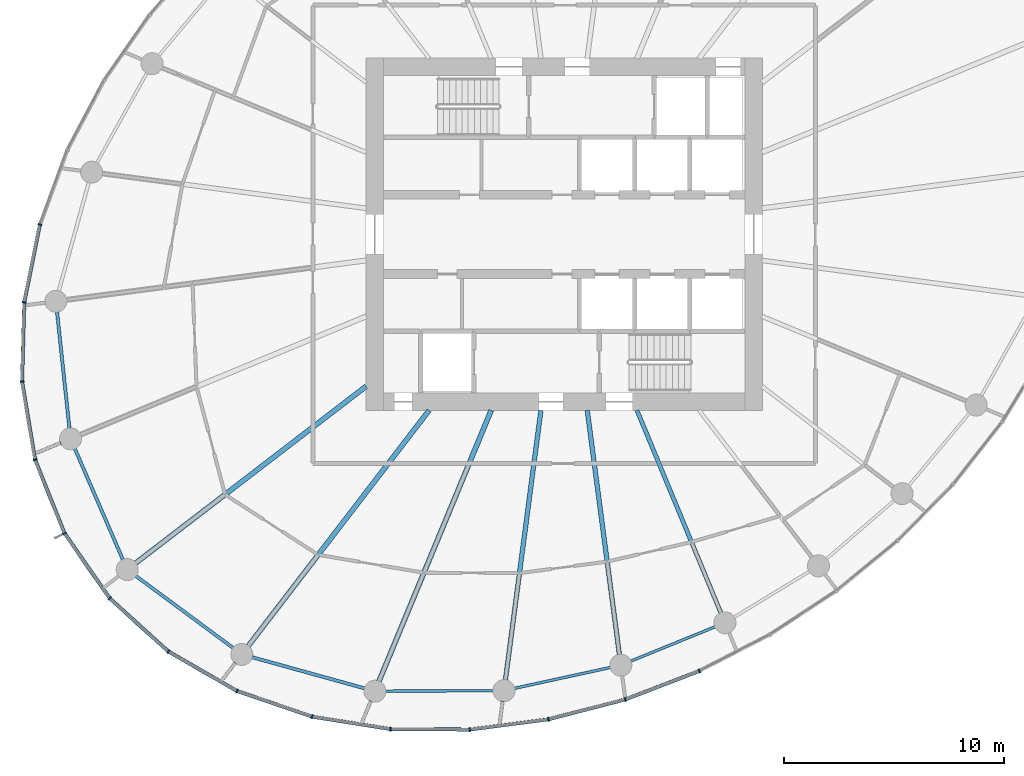
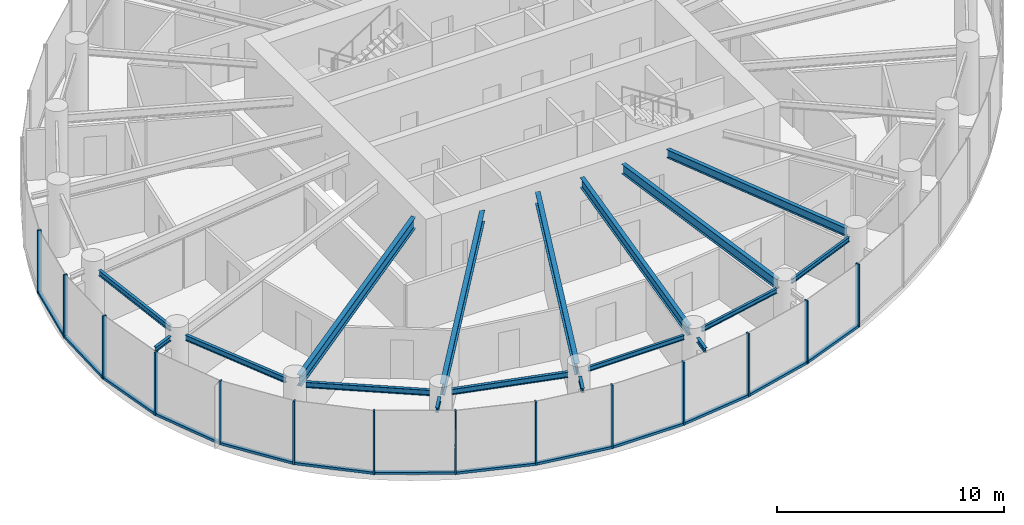
# One storey, part 2 of 15: 27 members, 17 beams, 3 elements without a shape of their own.
"""IFC4 building model written with IfcOpenShell, lengths in metres."""

from ifc_helpers import new_model, si_unit, direction, frame, origin, origin_2d, place, context, subcontext, project, spatial, rectangle, i_section, extrude, source, transform, mapped, material, layer, layer_set, material_profile, profile_set, type_object, element, aggregate, save


model = new_model("IFC4")

# Units and contexts
model_context = context("Model", 3, precision=1e-05, world=origin(), true_north=direction((0.0, 1.0)))
body_context = subcontext(model_context, "Body", "Model", "MODEL_VIEW")
ifc_project = project(units=[si_unit("LENGTHUNIT", "METRE"), si_unit("AREAUNIT", "SQUARE_METRE"), si_unit("VOLUMEUNIT", "CUBIC_METRE"), si_unit("PLANEANGLEUNIT", "RADIAN"), si_unit("MASSUNIT", "GRAM", prefix="KILO")], contexts=[model_context])

# Site, building, storey
site_placement = place(None, origin())
site = spatial("IfcSite", under=ifc_project, at=site_placement, CompositionType="ELEMENT")
building_placement = place(site_placement, origin())
building = spatial("IfcBuilding", under=site, at=building_placement, Name="Spindrift Exchange Tower", CompositionType="ELEMENT")
storey_placement = place(building_placement, frame((0.0, 0.0, 176.0)))
storey = spatial("IfcBuildingStorey", under=building, at=storey_placement, Name="L42", CompositionType="ELEMENT", Elevation=176.0)

# Beams
ifc_material_1 = material(Name="Steel Grade 300", Category="steel")
ifc_material_profile_1 = material_profile(ifc_material_1, i_section(OverallWidth=0.14599609375, OverallDepth=0.251953125, WebThickness=0.006103515625, FlangeThickness=0.008544921875, FilletRadius=0.011962890625, at=origin_2d()), Name="250UB31.4")
ifc_profile_set_1 = profile_set([ifc_material_profile_1], Name="Steel Grade 300")
beam_type_1 = type_object("IfcBeamType", Name="Cantilever Beam 250UB31.4 Steel Grade 300", PredefinedType="BEAM", material=ifc_profile_set_1)
shared_shape_1 = source(origin(), body_context, "Body", "SweptSolid", [
    extrude(i_section(OverallWidth=0.14599609375, OverallDepth=0.251953125, WebThickness=0.006103515625, FlangeThickness=0.008544921875, FilletRadius=0.011962890625, at=origin_2d()), origin(), (0.0, 0.0, 1.0), 0.964111328125),
])
beam_1_placement = place(storey_placement, frame((43.229248046875, 26.82568359375, 3.27392578125), z_axis=(-0.382672391391, -0.923884105755, 0.0), x_axis=(0.923884105755, -0.382672391391, 0.0)))
element("IfcBeam", 1, at=beam_1_placement, inside=storey, type_object=beam_type_1, Name="L42 cantilever beam R17T", PredefinedType="BEAM", context=body_context, shape_type="MappedRepresentation", body=[
    mapped(shared_shape_1, transform((0.0, 0.0, 0.0), scale=1.0)),
])
shared_shape_2 = source(origin(), body_context, "Body", "SweptSolid", [
    extrude(i_section(OverallWidth=0.14599609375, OverallDepth=0.251953125, WebThickness=0.006103515625, FlangeThickness=0.008544921875, FilletRadius=0.011962890625, at=origin_2d()), origin(), (0.0, 0.0, 1.0), 0.9267578125),
])
beam_2_placement = place(storey_placement, frame((49.21142578125, 26.81884765625, 3.27392578125), z_axis=(-0.130386374353, -0.991463258716, 0.0), x_axis=(0.991463258716, -0.130386374353, 0.0)))
element("IfcBeam", 2, at=beam_2_placement, inside=storey, type_object=beam_type_1, Name="L42 cantilever beam R18T", PredefinedType="BEAM", context=body_context, shape_type="MappedRepresentation", body=[
    mapped(shared_shape_2, transform((0.0, 0.0, 0.0), scale=1.0)),
])
ifc_material_profile_2 = material_profile(ifc_material_1, i_section(OverallWidth=0.14892578125, OverallDepth=0.298095703125, WebThickness=0.005615234375, FlangeThickness=0.008056640625, FilletRadius=0.012939453125, at=origin_2d()), Name="310UB32.0")
ifc_profile_set_2 = profile_set([ifc_material_profile_2], Name="Steel Grade 300")
beam_type_2 = type_object("IfcBeamType", Name="Edge Beam 310UB32.0 Steel Grade 300", PredefinedType="SPANDREL", material=ifc_profile_set_2)
shared_shape_3 = source(origin(), body_context, "Body", "SweptSolid", [
    extrude(i_section(OverallWidth=0.14892578125, OverallDepth=0.298095703125, WebThickness=0.005615234375, FlangeThickness=0.008056640625, FilletRadius=0.012939453125, at=origin_2d()), origin(), (0.0, 0.0, 1.0), 5.31640625),
])
beam_3_placement = place(storey_placement, frame((28.989013671875, 44.486572265625, 3.2509765625), z_axis=(0.10598990948, -0.994367205357, 0.0), x_axis=(0.994367205357, 0.10598990948, 0.0)))
element("IfcBeam", 3, at=beam_3_placement, inside=storey, type_object=beam_type_2, Name="L42 edge beam E13", PredefinedType="SPANDREL", context=body_context, shape_type="MappedRepresentation", body=[
    mapped(shared_shape_3, transform((0.0, 0.0, 0.0), scale=1.0)),
])
shared_shape_4 = source(origin(), body_context, "Body", "SweptSolid", [
    extrude(i_section(OverallWidth=0.14892578125, OverallDepth=0.298095703125, WebThickness=0.005615234375, FlangeThickness=0.008056640625, FilletRadius=0.012939453125, at=origin_2d()), origin(), (0.0, 0.0, 1.0), 5.508544921875),
])
beam_4_placement = place(storey_placement, frame((29.794189453125, 38.282470703125, 3.2509765625), z_axis=(0.397414644433, -0.917639144975, 0.0), x_axis=(0.917639144975, 0.397414644433, 0.0)))
element("IfcBeam", 4, at=beam_4_placement, inside=storey, type_object=beam_type_2, Name="L42 edge beam E14", PredefinedType="SPANDREL", context=body_context, shape_type="MappedRepresentation", body=[
    mapped(shared_shape_4, transform((0.0, 0.0, 0.0), scale=1.0)),
])
shared_shape_5 = source(origin(), body_context, "Body", "SweptSolid", [
    extrude(i_section(OverallWidth=0.14892578125, OverallDepth=0.298095703125, WebThickness=0.005615234375, FlangeThickness=0.008056640625, FilletRadius=0.012939453125, at=origin_2d()), origin(), (0.0, 0.0, 1.0), 5.509033203125),
])
beam_5_placement = place(storey_placement, frame((32.56005859375, 32.501708984375, 3.2509765625), z_axis=(0.803991901791, -0.594640245741, 0.0), x_axis=(0.594640245741, 0.803991901791, 0.0)))
element("IfcBeam", 5, at=beam_5_placement, inside=storey, type_object=beam_type_2, Name="L42 edge beam E15", PredefinedType="SPANDREL", context=body_context, shape_type="MappedRepresentation", body=[
    mapped(shared_shape_5, transform((0.0, 0.0, 0.0), scale=1.0)),
])
shared_shape_6 = source(origin(), body_context, "Body", "SweptSolid", [
    extrude(i_section(OverallWidth=0.14892578125, OverallDepth=0.298095703125, WebThickness=0.005615234375, FlangeThickness=0.008056640625, FilletRadius=0.012939453125, at=origin_2d()), origin(), (0.0, 0.0, 1.0), 5.30517578125),
])
beam_6_placement = place(storey_placement, frame((37.837646484375, 28.8125, 3.2509765625), z_axis=(0.963757513624, -0.26677978734, 0.0), x_axis=(0.26677978734, 0.963757513624, 0.0)))
element("IfcBeam", 6, at=beam_6_placement, inside=storey, type_object=beam_type_2, Name="L42 edge beam E16", PredefinedType="SPANDREL", context=body_context, shape_type="MappedRepresentation", body=[
    mapped(shared_shape_6, transform((0.0, 0.0, 0.0), scale=1.0)),
])
ifc_material_profile_3 = material_profile(ifc_material_1, i_section(OverallWidth=0.1240234375, OverallDepth=0.248046875, WebThickness=0.0048828125, FlangeThickness=0.008056640625, FilletRadius=0.011962890625, at=origin_2d()), Name="250UB25.7")
ifc_profile_set_3 = profile_set([ifc_material_profile_3], Name="Steel Grade 300")
beam_type_3 = type_object("IfcBeamType", Name="Edge Beam 250UB25.7 Steel Grade 300", PredefinedType="SPANDREL", material=ifc_profile_set_3)
shared_shape_7 = source(origin(), body_context, "Body", "SweptSolid", [
    extrude(i_section(OverallWidth=0.1240234375, OverallDepth=0.248046875, WebThickness=0.0048828125, FlangeThickness=0.008056640625, FilletRadius=0.011962890625, at=origin_2d()), origin(), (0.0, 0.0, 1.0), 4.901123046875),
])
beam_7_placement = place(storey_placement, frame((43.89306640625, 27.271240234375, 3.27587890625), z_axis=(0.999990609444, 0.004333707747, 0.0), x_axis=(-0.004333707747, 0.999990609444, 0.0)))
element("IfcBeam", 7, at=beam_7_placement, inside=storey, type_object=beam_type_3, Name="L42 edge beam E17", PredefinedType="SPANDREL", context=body_context, shape_type="MappedRepresentation", body=[
    mapped(shared_shape_7, transform((0.0, 0.0, 0.0), scale=1.0)),
])
shared_shape_8 = source(origin(), body_context, "Body", "SweptSolid", [
    extrude(i_section(OverallWidth=0.1240234375, OverallDepth=0.248046875, WebThickness=0.0048828125, FlangeThickness=0.008056640625, FilletRadius=0.011962890625, at=origin_2d()), origin(), (0.0, 0.0, 1.0), 4.464111328125),
])
beam_8_placement = place(storey_placement, frame((49.7431640625, 27.396728515625, 3.27587890625), z_axis=(0.977095837978, 0.212799726048, 0.0), x_axis=(-0.212799726048, 0.977095837978, 0.0)))
element("IfcBeam", 8, at=beam_8_placement, inside=storey, type_object=beam_type_3, Name="L42 edge beam E18", PredefinedType="SPANDREL", context=body_context, shape_type="MappedRepresentation", body=[
    mapped(shared_shape_8, transform((0.0, 0.0, 0.0), scale=1.0)),
])
shared_shape_9 = source(origin(), body_context, "Body", "SweptSolid", [
    extrude(i_section(OverallWidth=0.1240234375, OverallDepth=0.248046875, WebThickness=0.0048828125, FlangeThickness=0.008056640625, FilletRadius=0.011962890625, at=origin_2d()), origin(), (0.0, 0.0, 1.0), 4.143798828125),
])
beam_9_placement = place(storey_placement, frame((55.0185546875, 28.6298828125, 3.27587890625), z_axis=(0.926113706975, 0.377244485385, 0.0), x_axis=(-0.377244485385, 0.926113706975, 0.0)))
element("IfcBeam", 9, at=beam_9_placement, inside=storey, type_object=beam_type_3, Name="L42 edge beam E19", PredefinedType="SPANDREL", context=body_context, shape_type="MappedRepresentation", body=[
    mapped(shared_shape_9, transform((0.0, 0.0, 0.0), scale=1.0)),
])
ifc_material_profile_4 = material_profile(ifc_material_1, i_section(OverallWidth=0.22802734375, OverallDepth=0.60205078125, WebThickness=0.010498046875, FlangeThickness=0.014892578125, FilletRadius=0.013916015625, at=origin_2d()), Name="610UB101")
ifc_profile_set_4 = profile_set([ifc_material_profile_4], Name="Steel Grade 300")
beam_type_4 = type_object("IfcBeamType", Name="Floor Beam 610UB101 Steel Grade 300", PredefinedType="BEAM", material=ifc_profile_set_4)
shared_shape_10 = source(origin(), body_context, "Body", "SweptSolid", [
    extrude(i_section(OverallWidth=0.22802734375, OverallDepth=0.60205078125, WebThickness=0.010498046875, FlangeThickness=0.014892578125, FilletRadius=0.013916015625, at=origin_2d()), origin(), (0.0, 0.0, 1.0), 13.185546875),
])
beam_10_placement = place(storey_placement, frame((43.015869140625, 41.106201171875, 3.09912109375), z_axis=(-0.793357156703, -0.608756455332, 0.0), x_axis=(0.608756455332, -0.793357156703, 0.0)))
element("IfcBeam", 10, at=beam_10_placement, inside=storey, type_object=beam_type_4, Name="L42 radial beam R15A", PredefinedType="BEAM", context=body_context, shape_type="MappedRepresentation", body=[
    mapped(shared_shape_10, transform((0.0, 0.0, 0.0), scale=1.0)),
])
shared_shape_11 = source(origin(), body_context, "Body", "SweptSolid", [
    extrude(i_section(OverallWidth=0.22802734375, OverallDepth=0.60205078125, WebThickness=0.010498046875, FlangeThickness=0.014892578125, FilletRadius=0.013916015625, at=origin_2d()), origin(), (0.0, 0.0, 1.0), 13.480224609375),
])
beam_11_placement = place(storey_placement, frame((45.87353515625, 40.015869140625, 3.09912109375), z_axis=(-0.608764179541, -0.793351229726, 0.0), x_axis=(0.793351229726, -0.608764179541, 0.0)))
element("IfcBeam", 11, at=beam_11_placement, inside=storey, type_object=beam_type_4, Name="L42 radial beam R16A", PredefinedType="BEAM", context=body_context, shape_type="MappedRepresentation", body=[
    mapped(shared_shape_11, transform((0.0, 0.0, 0.0), scale=1.0)),
])
shared_shape_12 = source(origin(), body_context, "Body", "SweptSolid", [
    extrude(i_section(OverallWidth=0.22802734375, OverallDepth=0.60205078125, WebThickness=0.010498046875, FlangeThickness=0.014892578125, FilletRadius=0.013916015625, at=origin_2d()), origin(), (0.0, 0.0, 1.0), 13.31982421875),
])
beam_12_placement = place(storey_placement, frame((48.69384765625, 40.0185546875, 3.09912109375), z_axis=(-0.382676632888, -0.923882348918, 0.0), x_axis=(0.923882348918, -0.382676632888, 0.0)))
element("IfcBeam", 12, at=beam_12_placement, inside=storey, type_object=beam_type_4, Name="L42 radial beam R17A", PredefinedType="BEAM", context=body_context, shape_type="MappedRepresentation", body=[
    mapped(shared_shape_12, transform((0.0, 0.0, 0.0), scale=1.0)),
])
ifc_material_profile_5 = material_profile(ifc_material_1, i_section(OverallWidth=0.208984375, OverallDepth=0.528076171875, WebThickness=0.009521484375, FlangeThickness=0.01318359375, FilletRadius=0.013916015625, at=origin_2d()), Name="530UB82.0")
ifc_profile_set_5 = profile_set([ifc_material_profile_5], Name="Steel Grade 300")
beam_type_5 = type_object("IfcBeamType", Name="Floor Beam 530UB82.0 Steel Grade 300", PredefinedType="BEAM", material=ifc_profile_set_5)
shared_shape_13 = source(origin(), body_context, "Body", "SweptSolid", [
    extrude(i_section(OverallWidth=0.208984375, OverallDepth=0.528076171875, WebThickness=0.009521484375, FlangeThickness=0.01318359375, FilletRadius=0.013916015625, at=origin_2d()), origin(), (0.0, 0.0, 1.0), 12.35498046875),
])
beam_13_placement = place(storey_placement, frame((50.949462890625, 40.019775390625, 3.135986328125), z_axis=(-0.130537831721, -0.991443328935, 0.0), x_axis=(0.991443328935, -0.130537831721, 0.0)))
element("IfcBeam", 13, at=beam_13_placement, inside=storey, type_object=beam_type_5, Name="L42 radial beam R18A", PredefinedType="BEAM", context=body_context, shape_type="MappedRepresentation", body=[
    mapped(shared_shape_13, transform((0.0, 0.0, 0.0), scale=1.0)),
])
shared_shape_14 = source(origin(), body_context, "Body", "SweptSolid", [
    extrude(i_section(OverallWidth=0.208984375, OverallDepth=0.528076171875, WebThickness=0.009521484375, FlangeThickness=0.01318359375, FilletRadius=0.013916015625, at=origin_2d()), origin(), (0.0, 0.0, 1.0), 11.19091796875),
])
beam_14_placement = place(storey_placement, frame((53.050537109375, 40.019775390625, 3.135986328125), z_axis=(0.130524489434, -0.991445085548, 0.0), x_axis=(0.991445085548, 0.130524489434, 0.0)))
element("IfcBeam", 14, at=beam_14_placement, inside=storey, type_object=beam_type_5, Name="L42 radial beam R19A", PredefinedType="BEAM", context=body_context, shape_type="MappedRepresentation", body=[
    mapped(shared_shape_14, transform((0.0, 0.0, 0.0), scale=1.0)),
])
ifc_material_profile_6 = material_profile(ifc_material_1, i_section(OverallWidth=0.18994140625, OverallDepth=0.4541015625, WebThickness=0.008544921875, FlangeThickness=0.0126953125, FilletRadius=0.013916015625, at=origin_2d()), Name="460UB67.1")
ifc_profile_set_6 = profile_set([ifc_material_profile_6], Name="Steel Grade 300")
beam_type_6 = type_object("IfcBeamType", Name="Floor Beam 460UB67.1 Steel Grade 300", PredefinedType="BEAM", material=ifc_profile_set_6)
shared_shape_15 = source(origin(), body_context, "Body", "SweptSolid", [
    extrude(i_section(OverallWidth=0.18994140625, OverallDepth=0.4541015625, WebThickness=0.008544921875, FlangeThickness=0.0126953125, FilletRadius=0.013916015625, at=origin_2d()), origin(), (0.0, 0.0, 1.0), 9.958984375),
])
beam_15_placement = place(storey_placement, frame((55.30615234375, 40.0185546875, 3.173095703125), z_axis=(0.382673670509, -0.923883575944, 0.0), x_axis=(0.923883575944, 0.382673670509, 0.0)))
element("IfcBeam", 15, at=beam_15_placement, inside=storey, type_object=beam_type_6, Name="L42 radial beam R20A", PredefinedType="BEAM", context=body_context, shape_type="MappedRepresentation", body=[
    mapped(shared_shape_15, transform((0.0, 0.0, 0.0), scale=1.0)),
])
shared_shape_16 = source(origin(), body_context, "Body", "SweptSolid", [
    extrude(i_section(OverallWidth=0.14599609375, OverallDepth=0.251953125, WebThickness=0.006103515625, FlangeThickness=0.008544921875, FilletRadius=0.011962890625, at=origin_2d()), origin(), (0.0, 0.0, 1.0), 1.1201171875),
])
beam_16_placement = place(storey_placement, frame((29.159912109375, 38.539306640625, 3.27392578125), z_axis=(-0.923868073298, -0.382711096181, 0.0), x_axis=(0.382711096181, -0.923868073298, 0.0)))
element("IfcBeam", 16, at=beam_16_placement, inside=storey, type_object=beam_type_1, Name="L42 cantilever beam R14T", PredefinedType="BEAM", context=body_context, shape_type="MappedRepresentation", body=[
    mapped(shared_shape_16, transform((0.0, 0.0, 0.0), scale=1.0)),
])
shared_shape_17 = source(origin(), body_context, "Body", "SweptSolid", [
    extrude(i_section(OverallWidth=0.14599609375, OverallDepth=0.251953125, WebThickness=0.006103515625, FlangeThickness=0.008544921875, FilletRadius=0.011962890625, at=origin_2d()), origin(), (0.0, 0.0, 1.0), 0.89990234375),
])
beam_17_placement = place(storey_placement, frame((37.0830078125, 28.559814453125, 3.27392578125), z_axis=(-0.608818785139, -0.79330932609, 0.0), x_axis=(0.79330932609, -0.608818785139, 0.0)))
element("IfcBeam", 17, at=beam_17_placement, inside=storey, type_object=beam_type_1, Name="L42 cantilever beam R16T", PredefinedType="BEAM", context=body_context, shape_type="MappedRepresentation", body=[
    mapped(shared_shape_17, transform((0.0, 0.0, 0.0), scale=1.0)),
])

# Curtain wall, member
ifc_material_2 = material(Name="Fritted laminated glass with bronze frame", Category="glass")
ifc_layer = layer(ifc_material_2, 0.179931640625)
ifc_layer_set = layer_set([ifc_layer], Name="ZONE 3 BRONZE FRITTED WALL")
curtain_wall_type = type_object("IfcCurtainWallType", Name="ZONE 3 BRONZE FRITTED WALL", PredefinedType="NOTDEFINED", material=ifc_layer_set)
curtain_wall_1_placement = place(storey_placement, origin())
curtain_wall_1 = element("IfcCurtainWall", 18, at=curtain_wall_1_placement, inside=storey, type_object=curtain_wall_type, Name="L42 Zone 3 Bronze Fritted Wall run 5", PredefinedType="NOTDEFINED")
ifc_material_3 = material(Name="Bronze anodised aluminium", Category="aluminium")
ifc_material_profile_7 = material_profile(ifc_material_3, rectangle(XDim=0.159912109375, YDim=0.1298828125, at=origin_2d()), Name="ZONE 3 BRONZE FRITTED WALL TRANSOM 160X130")
ifc_profile_set_7 = profile_set([ifc_material_profile_7], Name="Bronze anodised aluminium")
member_type_1 = type_object("IfcMemberType", Name="ZONE 3 BRONZE FRITTED WALL TRANSOM 160X130", PredefinedType="USERDEFINED", material=ifc_profile_set_7)
shared_shape_18 = source(origin(), body_context, "Body", "SweptSolid", [
    extrude(rectangle(XDim=0.159912109375, YDim=0.1298828125, at=origin_2d()), origin(), (0.0, 0.0, 1.0), 3.53076171875),
])
member_1_placement = place(storey_placement, frame((54.808349609375, 26.904296875, 0.06494140625), z_axis=(0.933468516944, 0.358659347955, 0.0), x_axis=(-0.358659347955, 0.933468516944, 0.0)))
member_1 = element("IfcMember", 19, at=member_1_placement, type_object=member_type_1, Name="L42 transom CW-3.29", ObjectType="TRANSOM", PredefinedType="USERDEFINED", context=body_context, shape_type="MappedRepresentation", body=[
    mapped(shared_shape_18, transform((0.0, 0.0, 0.0), scale=1.0)),
])

curtain_wall_2_placement = place(storey_placement, origin())
curtain_wall_2 = element("IfcCurtainWall", 20, at=curtain_wall_2_placement, inside=storey, type_object=curtain_wall_type, Name="L42 Zone 3 Bronze Fritted Wall run 3", PredefinedType="NOTDEFINED")
shared_shape_19 = source(origin(), body_context, "Body", "SweptSolid", [
    extrude(rectangle(XDim=0.159912109375, YDim=0.1298828125, at=origin_2d()), origin(), (0.0, 0.0, 1.0), 3.52880859375),
])
member_2_placement = place(storey_placement, frame((28.203857421875, 48.409912109375, 0.06494140625), z_axis=(-0.197592749277, -0.980284196258, 0.0), x_axis=(0.980284196258, -0.197592749277, 0.0)))
member_2 = element("IfcMember", 21, at=member_2_placement, type_object=member_type_1, Name="L42 transom CW-3.17", ObjectType="TRANSOM", PredefinedType="USERDEFINED", context=body_context, shape_type="MappedRepresentation", body=[
    mapped(shared_shape_19, transform((0.0, 0.0, 0.0), scale=1.0)),
])

# Member
member_3_placement = place(storey_placement, frame((40.600341796875, 26.107666015625, 0.06494140625), z_axis=(0.987644878604, -0.156708626973, 0.0), x_axis=(0.156708626973, 0.987644878604, 0.0)))
member_3 = element("IfcMember", 22, at=member_3_placement, type_object=member_type_1, Name="L42 transom CW-3.25", ObjectType="TRANSOM", PredefinedType="USERDEFINED", context=body_context, shape_type="MappedRepresentation", body=[
    mapped(shared_shape_19, transform((0.0, 0.0, 0.0), scale=1.0)),
])

# Curtain wall, members
curtain_wall_3_placement = place(storey_placement, origin())
curtain_wall_3 = element("IfcCurtainWall", 23, at=curtain_wall_3_placement, inside=storey, type_object=curtain_wall_type, Name="L42 Zone 3 Bronze Fritted Wall run 4", PredefinedType="NOTDEFINED")
shared_shape_20 = source(origin(), body_context, "Body", "SweptSolid", [
    extrude(rectangle(XDim=0.159912109375, YDim=0.1298828125, at=origin_2d()), origin(), (0.0, 0.0, 1.0), 3.525146484375),
])
member_4_placement = place(storey_placement, frame((28.0078125, 37.740966796875, 0.06494140625), z_axis=(0.371080192185, -0.928600824341, 0.0), x_axis=(0.928600824341, 0.371080192185, 0.0)))
member_4 = element("IfcMember", 24, at=member_4_placement, type_object=member_type_1, Name="L42 transom CW-3.20", ObjectType="TRANSOM", PredefinedType="USERDEFINED", context=body_context, shape_type="MappedRepresentation", body=[
    mapped(shared_shape_20, transform((0.0, 0.0, 0.0), scale=1.0)),
])
member_5_placement = place(storey_placement, frame((31.40625, 31.45947265625, 0.06494140625), z_axis=(0.740854473837, -0.671665577945, 0.0), x_axis=(0.671665577945, 0.740854473837, 0.0)))
member_5 = element("IfcMember", 25, at=member_5_placement, type_object=member_type_1, Name="L42 transom CW-3.22", ObjectType="TRANSOM", PredefinedType="USERDEFINED", context=body_context, shape_type="MappedRepresentation", body=[
    mapped(shared_shape_20, transform((0.0, 0.0, 0.0), scale=1.0)),
])

# Member
shared_shape_21 = source(origin(), body_context, "Body", "SweptSolid", [
    extrude(rectangle(XDim=0.159912109375, YDim=0.1298828125, at=origin_2d()), origin(), (0.0, 0.0, 1.0), 3.530517578125),
])
member_6_placement = place(storey_placement, frame((51.3232421875, 26.0009765625, 0.06494140625), z_axis=(0.968284339856, 0.249850829874, 0.0), x_axis=(-0.249850829874, 0.968284339856, 0.0)))
member_6 = element("IfcMember", 26, at=member_6_placement, type_object=member_type_1, Name="L42 transom CW-3.28", ObjectType="TRANSOM", PredefinedType="USERDEFINED", context=body_context, shape_type="MappedRepresentation", body=[
    mapped(shared_shape_21, transform((0.0, 0.0, 0.0), scale=1.0)),
])

shared_shape_22 = source(origin(), body_context, "Body", "SweptSolid", [
    extrude(rectangle(XDim=0.159912109375, YDim=0.1298828125, at=origin_2d()), origin(), (0.0, 0.0, 1.0), 3.530029296875),
])
member_7_placement = place(storey_placement, frame((47.754150390625, 25.532470703125, 0.06494140625), z_axis=(0.991646242574, 0.128987323365, 0.0), x_axis=(-0.128987323365, 0.991646242574, 0.0)))
member_7 = element("IfcMember", 27, at=member_7_placement, type_object=member_type_1, Name="L42 transom CW-3.27", ObjectType="TRANSOM", PredefinedType="USERDEFINED", context=body_context, shape_type="MappedRepresentation", body=[
    mapped(shared_shape_22, transform((0.0, 0.0, 0.0), scale=1.0)),
])

shared_shape_23 = source(origin(), body_context, "Body", "SweptSolid", [
    extrude(rectangle(XDim=0.159912109375, YDim=0.1298828125, at=origin_2d()), origin(), (0.0, 0.0, 1.0), 3.529541015625),
])
member_8_placement = place(storey_placement, frame((44.15478515625, 25.549072265625, 0.06494140625), z_axis=(0.9999823071, -0.005948570133, 0.0), x_axis=(0.005948570133, 0.9999823071, 0.0)))
member_8 = element("IfcMember", 28, at=member_8_placement, type_object=member_type_1, Name="L42 transom CW-3.26", ObjectType="TRANSOM", PredefinedType="USERDEFINED", context=body_context, shape_type="MappedRepresentation", body=[
    mapped(shared_shape_23, transform((0.0, 0.0, 0.0), scale=1.0)),
])

shared_shape_24 = source(origin(), body_context, "Body", "SweptSolid", [
    extrude(rectangle(XDim=0.159912109375, YDim=0.1298828125, at=origin_2d()), origin(), (0.0, 0.0, 1.0), 3.524658203125),
])
member_9_placement = place(storey_placement, frame((29.348876953125, 34.40625, 0.06494140625), z_axis=(0.570693033655, -0.821163480275, 0.0), x_axis=(0.821163480275, 0.570693033655, 0.0)))
member_9 = element("IfcMember", 29, at=member_9_placement, type_object=member_type_1, Name="L42 transom CW-3.21", ObjectType="TRANSOM", PredefinedType="USERDEFINED", context=body_context, shape_type="MappedRepresentation", body=[
    mapped(shared_shape_24, transform((0.0, 0.0, 0.0), scale=1.0)),
])

shared_shape_25 = source(origin(), body_context, "Body", "SweptSolid", [
    extrude(rectangle(XDim=0.159912109375, YDim=0.1298828125, at=origin_2d()), origin(), (0.0, 0.0, 1.0), 3.52734375),
])
member_10_placement = place(storey_placement, frame((27.498779296875, 44.88134765625, 0.06494140625), z_axis=(-0.027546144992, -0.99962053295, 0.0), x_axis=(0.99962053295, -0.027546144992, 0.0)))
member_10 = element("IfcMember", 30, at=member_10_placement, type_object=member_type_1, Name="L42 transom CW-3.18", ObjectType="TRANSOM", PredefinedType="USERDEFINED", context=body_context, shape_type="MappedRepresentation", body=[
    mapped(shared_shape_25, transform((0.0, 0.0, 0.0), scale=1.0)),
])

member_11_placement = place(storey_placement, frame((37.19384765625, 27.26318359375, 0.06494140625), z_axis=(0.946466461945, -0.322802162962, 0.0), x_axis=(0.322802162962, 0.946466461945, 0.0)))
member_11 = element("IfcMember", 31, at=member_11_placement, type_object=member_type_1, Name="L42 transom CW-3.24", ObjectType="TRANSOM", PredefinedType="USERDEFINED", context=body_context, shape_type="MappedRepresentation", body=[
    mapped(shared_shape_25, transform((0.0, 0.0, 0.0), scale=1.0)),
])

shared_shape_26 = source(origin(), body_context, "Body", "SweptSolid", [
    extrude(rectangle(XDim=0.159912109375, YDim=0.1298828125, at=origin_2d()), origin(), (0.0, 0.0, 1.0), 3.526123046875),
])
member_12_placement = place(storey_placement, frame((27.406494140625, 41.28564453125, 0.06494140625), z_axis=(0.165196078333, -0.986260744278, 0.0), x_axis=(0.986260744278, 0.165196078333, 0.0)))
member_12 = element("IfcMember", 32, at=member_12_placement, type_object=member_type_1, Name="L42 transom CW-3.19", ObjectType="TRANSOM", PredefinedType="USERDEFINED", context=body_context, shape_type="MappedRepresentation", body=[
    mapped(shared_shape_26, transform((0.0, 0.0, 0.0), scale=1.0)),
])

member_13_placement = place(storey_placement, frame((34.07421875, 29.051025390625, 0.06494140625), z_axis=(0.8666923048, -0.498843110408, 0.0), x_axis=(0.498843110408, 0.8666923048, 0.0)))
member_13 = element("IfcMember", 33, at=member_13_placement, type_object=member_type_1, Name="L42 transom CW-3.23", ObjectType="TRANSOM", PredefinedType="USERDEFINED", context=body_context, shape_type="MappedRepresentation", body=[
    mapped(shared_shape_26, transform((0.0, 0.0, 0.0), scale=1.0)),
])

ifc_material_profile_8 = material_profile(ifc_material_3, rectangle(XDim=0.070068359375, YDim=0.179931640625, at=origin_2d()), Name="ZONE 3 BRONZE FRITTED WALL MULLION 70X180")
ifc_profile_set_8 = profile_set([ifc_material_profile_8], Name="Bronze anodised aluminium")
member_type_2 = type_object("IfcMemberType", Name="ZONE 3 BRONZE FRITTED WALL MULLION 70X180", PredefinedType="MULLION", material=ifc_profile_set_8)
shared_shape_27 = source(origin(), body_context, "Body", "SweptSolid", [
    extrude(rectangle(XDim=0.070068359375, YDim=0.179931640625, at=origin_2d()), origin(), (0.0, 0.0, 1.0), 3.39990234375),
])
member_14_placement = place(storey_placement, frame((28.210693359375, 48.444091796875, 0.0), z_axis=(0.0, 0.0, 1.0), x_axis=(-0.271141942713, -0.962539374208, 0.0)))
member_14 = element("IfcMember", 34, at=member_14_placement, type_object=member_type_2, Name="L42 mullion CW-3.17", PredefinedType="MULLION", context=body_context, shape_type="MappedRepresentation", body=[
    mapped(shared_shape_27, transform((0.0, 0.0, 0.0), scale=1.0)),
])

member_15_placement = place(storey_placement, frame((27.499755859375, 44.91650390625, 0.0), z_axis=(0.0, 0.0, 1.0), x_axis=(-0.112972174555, -0.99359815206, 0.0)))
member_15 = element("IfcMember", 35, at=member_15_placement, type_object=member_type_2, Name="L42 mullion CW-3.18", PredefinedType="MULLION", context=body_context, shape_type="MappedRepresentation", body=[
    mapped(shared_shape_27, transform((0.0, 0.0, 0.0), scale=1.0)),
])

aggregate(curtain_wall_2, [member_14, member_2, member_15, member_10])

member_16_placement = place(storey_placement, frame((27.400634765625, 41.3203125, 0.0), z_axis=(0.0, 0.0, 1.0), x_axis=(0.069178379237, -0.997604306249, 0.0)))
member_16 = element("IfcMember", 36, at=member_16_placement, type_object=member_type_2, Name="L42 mullion CW-3.19", PredefinedType="MULLION", context=body_context, shape_type="MappedRepresentation", body=[
    mapped(shared_shape_27, transform((0.0, 0.0, 0.0), scale=1.0)),
])

member_17_placement = place(storey_placement, frame((27.994873046875, 37.7734375, 0.0), z_axis=(0.0, 0.0, 1.0), x_axis=(0.269716979127, -0.962939640461, 0.0)))
member_17 = element("IfcMember", 37, at=member_17_placement, type_object=member_type_2, Name="L42 mullion CW-3.20", PredefinedType="MULLION", context=body_context, shape_type="MappedRepresentation", body=[
    mapped(shared_shape_27, transform((0.0, 0.0, 0.0), scale=1.0)),
])

member_18_placement = place(storey_placement, frame((29.3291015625, 34.43505859375, 0.0), z_axis=(0.0, 0.0, 1.0), x_axis=(0.473923194612, -0.880566184684, 0.0)))
member_18 = element("IfcMember", 38, at=member_18_placement, type_object=member_type_2, Name="L42 mullion CW-3.21", PredefinedType="MULLION", context=body_context, shape_type="MappedRepresentation", body=[
    mapped(shared_shape_27, transform((0.0, 0.0, 0.0), scale=1.0)),
])

member_19_placement = place(storey_placement, frame((31.38037109375, 31.483154296875, 0.0), z_axis=(0.0, 0.0, 1.0), x_axis=(0.660005940021, -0.751260380386, 0.0)))
member_19 = element("IfcMember", 39, at=member_19_placement, type_object=member_type_2, Name="L42 mullion CW-3.22", PredefinedType="MULLION", context=body_context, shape_type="MappedRepresentation", body=[
    mapped(shared_shape_27, transform((0.0, 0.0, 0.0), scale=1.0)),
])

member_20_placement = place(storey_placement, frame((34.043701171875, 29.068359375, 0.0), z_axis=(0.0, 0.0, 1.0), x_axis=(0.808422251521, -0.588602975906, 0.0)))
member_20 = element("IfcMember", 40, at=member_20_placement, type_object=member_type_2, Name="L42 mullion CW-3.23", PredefinedType="MULLION", context=body_context, shape_type="MappedRepresentation", body=[
    mapped(shared_shape_27, transform((0.0, 0.0, 0.0), scale=1.0)),
])

member_21_placement = place(storey_placement, frame((37.16064453125, 27.274658203125, 0.0), z_axis=(0.0, 0.0, 1.0), x_axis=(0.91084732205, -0.41274345048, 0.0)))
member_21 = element("IfcMember", 41, at=member_21_placement, type_object=member_type_2, Name="L42 mullion CW-3.24", PredefinedType="MULLION", context=body_context, shape_type="MappedRepresentation", body=[
    mapped(shared_shape_27, transform((0.0, 0.0, 0.0), scale=1.0)),
])

aggregate(curtain_wall_3, [member_16, member_12, member_17, member_4, member_18, member_9, member_19, member_5, member_20, member_13, member_21, member_11])

member_22_placement = place(storey_placement, frame((40.565673828125, 26.11328125, 0.0), z_axis=(0.0, 0.0, 1.0), x_axis=(0.970613508199, -0.24064375683, 0.0)))
member_22 = element("IfcMember", 42, at=member_22_placement, type_object=member_type_2, Name="L42 mullion CW-3.25", PredefinedType="MULLION", context=body_context, shape_type="MappedRepresentation", body=[
    mapped(shared_shape_27, transform((0.0, 0.0, 0.0), scale=1.0)),
])

member_23_placement = place(storey_placement, frame((44.119873046875, 25.54931640625, 0.0), z_axis=(0.0, 0.0, 1.0), x_axis=(0.996668854558, -0.081554854875, 0.0)))
member_23 = element("IfcMember", 43, at=member_23_placement, type_object=member_type_2, Name="L42 mullion CW-3.26", PredefinedType="MULLION", context=body_context, shape_type="MappedRepresentation", body=[
    mapped(shared_shape_27, transform((0.0, 0.0, 0.0), scale=1.0)),
])

member_24_placement = place(storey_placement, frame((47.719482421875, 25.52783203125, 0.0), z_axis=(0.0, 0.0, 1.0), x_axis=(0.998096664735, 0.061668856358, 0.0)))
member_24 = element("IfcMember", 44, at=member_24_placement, type_object=member_type_2, Name="L42 mullion CW-3.27", PredefinedType="MULLION", context=body_context, shape_type="MappedRepresentation", body=[
    mapped(shared_shape_27, transform((0.0, 0.0, 0.0), scale=1.0)),
])

member_25_placement = place(storey_placement, frame((51.289306640625, 25.9921875, 0.0), z_axis=(0.0, 0.0, 1.0), x_axis=(0.98183097224, 0.189757587334, 0.0)))
member_25 = element("IfcMember", 45, at=member_25_placement, type_object=member_type_2, Name="L42 mullion CW-3.28", PredefinedType="MULLION", context=body_context, shape_type="MappedRepresentation", body=[
    mapped(shared_shape_27, transform((0.0, 0.0, 0.0), scale=1.0)),
])

member_26_placement = place(storey_placement, frame((54.775634765625, 26.8916015625, 0.0), z_axis=(0.0, 0.0, 1.0), x_axis=(0.952440565726, 0.304724414446, 0.0)))
member_26 = element("IfcMember", 46, at=member_26_placement, type_object=member_type_2, Name="L42 mullion CW-3.29", PredefinedType="MULLION", context=body_context, shape_type="MappedRepresentation", body=[
    mapped(shared_shape_27, transform((0.0, 0.0, 0.0), scale=1.0)),
])

member_27_placement = place(storey_placement, frame((58.13671875, 28.18310546875, 0.0), z_axis=(0.0, 0.0, 1.0), x_axis=(0.912619328962, 0.408810421106, 0.0)))
member_27 = element("IfcMember", 47, at=member_27_placement, type_object=member_type_2, Name="L42 mullion CW-3.30", PredefinedType="MULLION", context=body_context, shape_type="MappedRepresentation", body=[
    mapped(shared_shape_27, transform((0.0, 0.0, 0.0), scale=1.0)),
])

aggregate(curtain_wall_1, [member_22, member_3, member_23, member_8, member_24, member_7, member_25, member_6, member_26, member_1, member_27])

save(model, "model.ifc")
